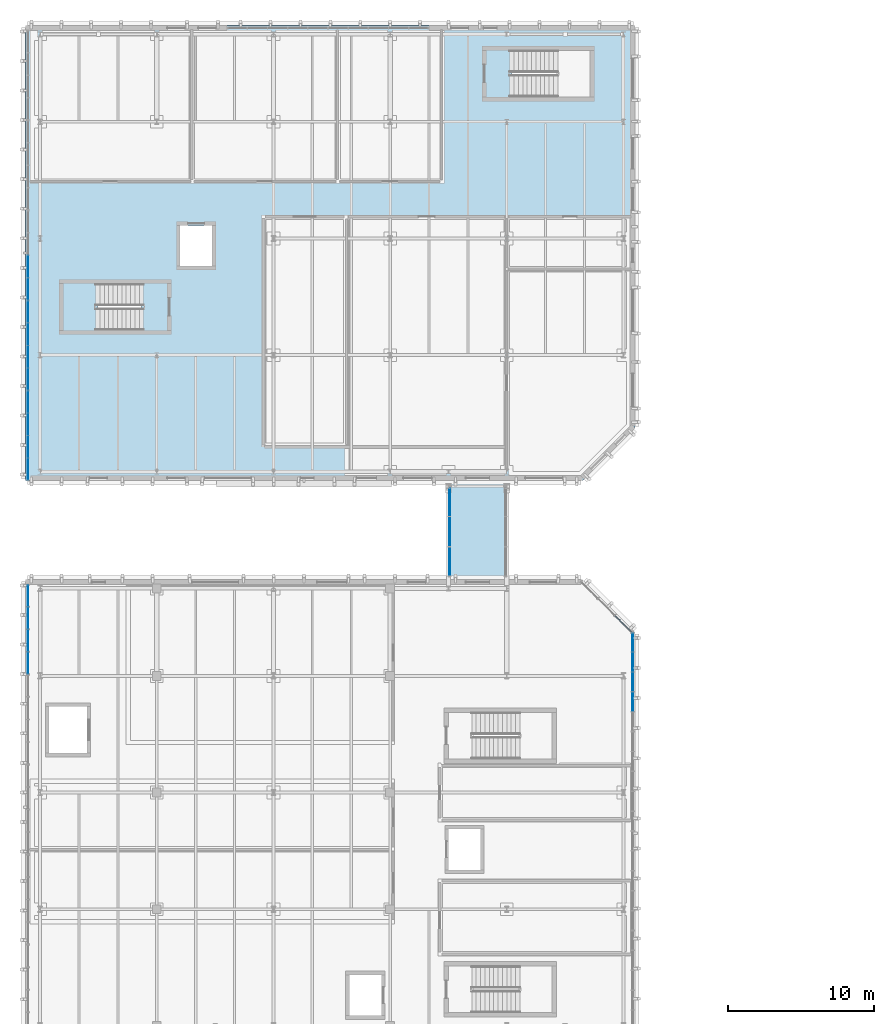
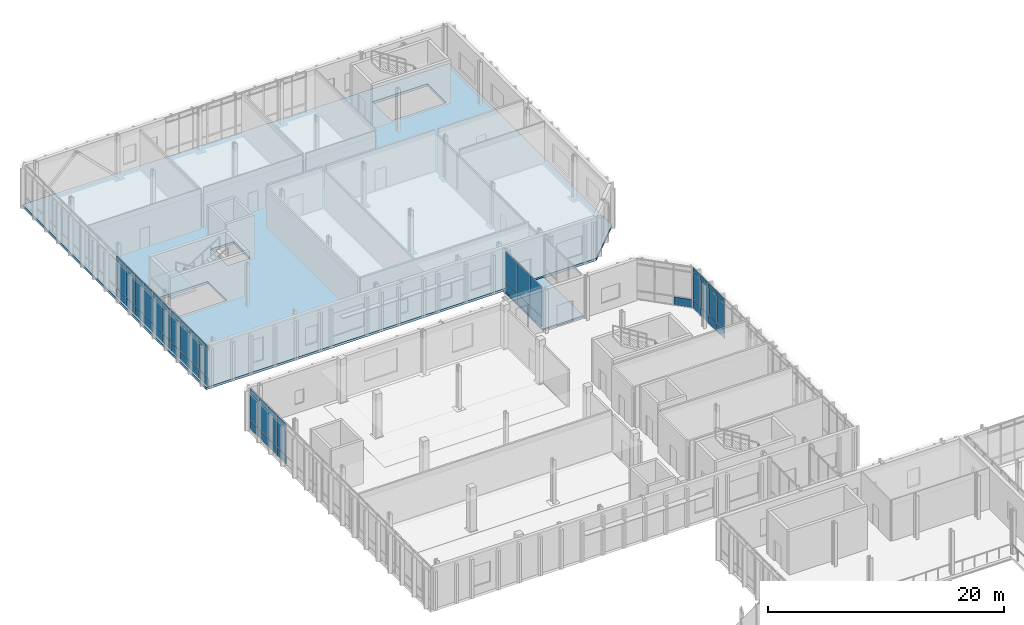
# One storey, part 57 of 100: 61 plates, 3 slabs, 8 elements without a shape of their own.
"""IFC4 building model written with IfcOpenShell, lengths in metres."""

from ifc_helpers import new_model, si_unit, direction, frame, origin, origin_2d, place, context, subcontext, project, spatial, polyline, rectangle, outline, extrude, material, layer, layer_set, type_object, element, aggregate, save


model = new_model("IFC4")

# Units and contexts
model_context = context("Model", 3, precision=1e-05, world=origin(), true_north=direction((0.0, 1.0)))
body_context = subcontext(model_context, "Body", "Model", "MODEL_VIEW")
ifc_project = project(units=[si_unit("LENGTHUNIT", "METRE"), si_unit("AREAUNIT", "SQUARE_METRE"), si_unit("VOLUMEUNIT", "CUBIC_METRE"), si_unit("PLANEANGLEUNIT", "RADIAN"), si_unit("MASSUNIT", "GRAM", prefix="KILO")], contexts=[model_context])

# Site, building, storey
site_placement = place(None, origin())
site = spatial("IfcSite", under=ifc_project, at=site_placement, CompositionType="ELEMENT")
building_placement = place(site_placement, origin())
building = spatial("IfcBuilding", under=site, at=building_placement, Name="Cymarion Research Institute", CompositionType="ELEMENT")
storey_placement = place(building_placement, frame((0.0, 0.0, 9.300048828125)))
storey = spatial("IfcBuildingStorey", under=building, at=storey_placement, Name="L02", CompositionType="ELEMENT", Elevation=9.300048828125)

# Slabs
ifc_material_1 = material(Name="Concrete C35/45", Category="concrete")
ifc_layer_1 = layer(ifc_material_1, 0.159912109375)
ifc_layer_set_1 = layer_set([ifc_layer_1], Name="Concrete C35/45")
slab_type_1 = type_object("IfcSlabType", Name="COMPOSITE FLOOR SLAB SL-BR160 160MM", PredefinedType="FLOOR", material=ifc_layer_set_1)
slab_1_placement = place(storey_placement, frame((0.0, 0.0, -0.16015625)))
element("IfcSlab", 1, at=slab_1_placement, inside=storey, type_object=slab_type_1, Name="L02 SP2 sky-passage composite deck", PredefinedType="FLOOR", context=body_context, shape_type="SweptSolid", body=[
    extrude(outline(polyline([(34.60009765625, 78.10009765625), (38.60009765625, 78.10009765625), (38.60009765625, 84.699951171875), (34.60009765625, 84.699951171875), (34.60009765625, 78.10009765625)])), origin(), (0.0, 0.0, 1.0), 0.16015625),
])
ifc_layer_2 = layer(ifc_material_1, 0.25)
ifc_layer_set_2 = layer_set([ifc_layer_2], Name="Concrete C35/45")
slab_type_2 = type_object("IfcSlabType", Name="COMPOSITE FLOOR SLAB SL-FL250 250MM", PredefinedType="FLOOR", material=ifc_layer_set_2)
slab_2_placement = place(storey_placement, frame((0.0, 0.0, -0.25)))
element("IfcSlab", 2, at=slab_2_placement, inside=storey, type_object=slab_type_2, Name="L02 V5 floor slab", PredefinedType="FLOOR", context=body_context, shape_type="SweptSolid", body=[
    extrude(outline(polyline([(5.60009765625, 84.89990234375), (43.800048828125, 84.89990234375), (47.39990234375, 88.5), (47.39990234375, 116.10009765625), (5.60009765625, 116.10009765625), (5.60009765625, 84.89990234375)]), holes=[polyline([(13.56005859375, 98.39990234375), (8.199951171875, 98.39990234375), (8.199951171875, 95.199951171875), (13.56005859375, 95.199951171875), (13.56005859375, 98.39990234375)]), polyline([(16.199951171875, 99.60009765625), (18.39990234375, 99.60009765625), (18.39990234375, 102.39990234375), (16.199951171875, 102.39990234375), (16.199951171875, 99.60009765625)]), polyline([(38.93994140625, 111.199951171875), (44.300048828125, 111.199951171875), (44.300048828125, 114.39990234375), (38.93994140625, 114.39990234375), (38.93994140625, 111.199951171875)])]), origin(), (0.0, 0.0, 1.0), 0.25),
])

# Curtain wall, plates
ifc_material_2 = material(Name="Anodised aluminium unitised curtain wall with Low-E glazing", Category="aluminium")
curtain_wall_type_1 = type_object("IfcCurtainWallType", Name="UNITISED CURTAIN WALL CW20 6820X4250", PredefinedType="NOTDEFINED", material=ifc_material_2)
curtain_wall_1_placement = place(storey_placement, origin())
curtain_wall_1 = element("IfcCurtainWall", 3, at=curtain_wall_1_placement, inside=storey, type_object=curtain_wall_type_1, Name="L02 V4 unitised curtain wall CW20 #101", PredefinedType="NOTDEFINED")
ifc_material_3 = material(Name="Insulated anodised aluminium spandrel panel", Category="aluminium")
ifc_layer_3 = layer(ifc_material_3, 0.06005859375)
ifc_layer_set_3 = layer_set([ifc_layer_3], Name="Insulated anodised aluminium spandrel panel")
plate_type_1 = type_object("IfcPlateType", Name="INSULATED ALUMINIUM SPANDREL PANEL SP01 60MM", PredefinedType="SHEET", material=ifc_layer_set_3)
plate_1_placement = place(storey_placement, frame((47.22998046875, 69.726318359375, 0.059814453125), z_axis=(0.0, 0.0, 1.0), x_axis=(0.0, 1.0, 0.0)))
plate_1 = element("IfcPlate", 4, at=plate_1_placement, type_object=plate_type_1, Name="CW20 panel 2.1", PredefinedType="SHEET", context=body_context, shape_type="SweptSolid", body=[
    extrude(rectangle(XDim=1.303955078125, YDim=0.06005859375, at=origin_2d()), origin(), (0.0, 0.0, 1.0), 0.81005859375),
])
plate_2_placement = place(storey_placement, frame((47.22998046875, 69.726318359375, 3.72998046875), z_axis=(0.0, 0.0, 1.0), x_axis=(0.0, 1.0, 0.0)))
plate_2 = element("IfcPlate", 5, at=plate_2_placement, type_object=plate_type_1, Name="CW20 panel 2.3", PredefinedType="SHEET", context=body_context, shape_type="SweptSolid", body=[
    extrude(rectangle(XDim=1.303955078125, YDim=0.06005859375, at=origin_2d()), origin(), (0.0, 0.0, 1.0), 0.4599609375),
])
plate_3_placement = place(storey_placement, frame((47.22998046875, 71.09033203125, 0.059814453125), z_axis=(0.0, 0.0, 1.0), x_axis=(0.0, 1.0, 0.0)))
plate_3 = element("IfcPlate", 6, at=plate_3_placement, type_object=plate_type_1, Name="CW20 panel 3.1", PredefinedType="SHEET", context=body_context, shape_type="SweptSolid", body=[
    extrude(rectangle(XDim=1.303955078125, YDim=0.06005859375, at=origin_2d()), origin(), (0.0, 0.0, 1.0), 0.81005859375),
])
plate_4_placement = place(storey_placement, frame((47.22998046875, 71.09033203125, 3.72998046875), z_axis=(0.0, 0.0, 1.0), x_axis=(0.0, 1.0, 0.0)))
plate_4 = element("IfcPlate", 7, at=plate_4_placement, type_object=plate_type_1, Name="CW20 panel 3.3", PredefinedType="SHEET", context=body_context, shape_type="SweptSolid", body=[
    extrude(rectangle(XDim=1.303955078125, YDim=0.06005859375, at=origin_2d()), origin(), (0.0, 0.0, 1.0), 0.4599609375),
])
plate_5_placement = place(storey_placement, frame((47.22998046875, 72.4541015625, 0.059814453125), z_axis=(0.0, 0.0, 1.0), x_axis=(0.0, 1.0, 0.0)))
plate_5 = element("IfcPlate", 8, at=plate_5_placement, type_object=plate_type_1, Name="CW20 panel 4.1", PredefinedType="SHEET", context=body_context, shape_type="SweptSolid", body=[
    extrude(rectangle(XDim=1.303955078125, YDim=0.06005859375, at=origin_2d()), origin(), (0.0, 0.0, 1.0), 0.81005859375),
])
plate_6_placement = place(storey_placement, frame((47.22998046875, 72.4541015625, 3.72998046875), z_axis=(0.0, 0.0, 1.0), x_axis=(0.0, 1.0, 0.0)))
plate_6 = element("IfcPlate", 9, at=plate_6_placement, type_object=plate_type_1, Name="CW20 panel 4.3", PredefinedType="SHEET", context=body_context, shape_type="SweptSolid", body=[
    extrude(rectangle(XDim=1.303955078125, YDim=0.06005859375, at=origin_2d()), origin(), (0.0, 0.0, 1.0), 0.4599609375),
])
plate_7_placement = place(storey_placement, frame((47.22998046875, 73.802978515625, 0.059814453125), z_axis=(0.0, 0.0, 1.0), x_axis=(0.0, 1.0, 0.0)))
plate_7 = element("IfcPlate", 10, at=plate_7_placement, type_object=plate_type_1, Name="CW20 panel 5.1", PredefinedType="SHEET", context=body_context, shape_type="SweptSolid", body=[
    extrude(rectangle(XDim=1.27392578125, YDim=0.06005859375, at=origin_2d()), origin(), (0.0, 0.0, 1.0), 0.81005859375),
])
plate_8_placement = place(storey_placement, frame((47.22998046875, 73.802978515625, 3.72998046875), z_axis=(0.0, 0.0, 1.0), x_axis=(0.0, 1.0, 0.0)))
plate_8 = element("IfcPlate", 11, at=plate_8_placement, type_object=plate_type_1, Name="CW20 panel 5.3", PredefinedType="SHEET", context=body_context, shape_type="SweptSolid", body=[
    extrude(rectangle(XDim=1.27392578125, YDim=0.06005859375, at=origin_2d()), origin(), (0.0, 0.0, 1.0), 0.4599609375),
])

# Curtain wall, plate
curtain_wall_type_2 = type_object("IfcCurtainWallType", Name="UNITISED CURTAIN WALL CW21 4970X4250", PredefinedType="NOTDEFINED", material=ifc_material_2)
curtain_wall_2_placement = place(storey_placement, origin())
curtain_wall_2 = element("IfcCurtainWall", 12, at=curtain_wall_2_placement, inside=storey, type_object=curtain_wall_type_2, Name="L02 V4 unitised curtain wall CW21 #102", PredefinedType="NOTDEFINED")
plate_9_placement = place(storey_placement, frame((46.5966796875, 75.062744140625, 0.059814453125), z_axis=(0.0, 0.0, 1.0), x_axis=(-0.707096717405, 0.707116844825, 0.0)))
plate_9 = element("IfcPlate", 13, at=plate_9_placement, type_object=plate_type_1, Name="CW21 panel 1.1", PredefinedType="SHEET", context=body_context, shape_type="SweptSolid", body=[
    extrude(rectangle(XDim=1.566162109375, YDim=0.06005859375, at=origin_2d()), origin(), (0.0, 0.0, 1.0), 0.81005859375),
])
aggregate(curtain_wall_2, [plate_9])

# Curtain wall, plates
curtain_wall_type_3 = type_object("IfcCurtainWallType", Name="UNITISED CURTAIN WALL CW22 6180X4250", PredefinedType="NOTDEFINED", material=ifc_material_2)
curtain_wall_3_placement = place(storey_placement, origin())
curtain_wall_3 = element("IfcCurtainWall", 14, at=curtain_wall_3_placement, inside=storey, type_object=curtain_wall_type_3, Name="L02 V4 unitised curtain wall CW22 #103", PredefinedType="NOTDEFINED")
plate_10_placement = place(storey_placement, frame((5.77001953125, 76.990966796875, 0.059814453125), z_axis=(0.0, 0.0, 1.0), x_axis=(0.0, -1.0, 0.0)))
plate_10 = element("IfcPlate", 15, at=plate_10_placement, type_object=plate_type_1, Name="CW22 panel 1.1", PredefinedType="SHEET", context=body_context, shape_type="SweptSolid", body=[
    extrude(rectangle(XDim=1.453857421875, YDim=0.06005859375, at=origin_2d()), origin(), (0.0, 0.0, 1.0), 0.81005859375),
])
plate_11_placement = place(storey_placement, frame((5.77001953125, 76.990966796875, 3.72998046875), z_axis=(0.0, 0.0, 1.0), x_axis=(0.0, -1.0, 0.0)))
plate_11 = element("IfcPlate", 16, at=plate_11_placement, type_object=plate_type_1, Name="CW22 panel 1.3", PredefinedType="SHEET", context=body_context, shape_type="SweptSolid", body=[
    extrude(rectangle(XDim=1.453857421875, YDim=0.06005859375, at=origin_2d()), origin(), (0.0, 0.0, 1.0), 0.4599609375),
])
plate_12_placement = place(storey_placement, frame((5.77001953125, 75.462158203125, 0.059814453125), z_axis=(0.0, 0.0, 1.0), x_axis=(0.0, -1.0, 0.0)))
plate_12 = element("IfcPlate", 17, at=plate_12_placement, type_object=plate_type_1, Name="CW22 panel 2.1", PredefinedType="SHEET", context=body_context, shape_type="SweptSolid", body=[
    extrude(rectangle(XDim=1.48388671875, YDim=0.06005859375, at=origin_2d()), origin(), (0.0, 0.0, 1.0), 0.81005859375),
])
plate_13_placement = place(storey_placement, frame((5.77001953125, 75.462158203125, 3.72998046875), z_axis=(0.0, 0.0, 1.0), x_axis=(0.0, -1.0, 0.0)))
plate_13 = element("IfcPlate", 18, at=plate_13_placement, type_object=plate_type_1, Name="CW22 panel 2.3", PredefinedType="SHEET", context=body_context, shape_type="SweptSolid", body=[
    extrude(rectangle(XDim=1.48388671875, YDim=0.06005859375, at=origin_2d()), origin(), (0.0, 0.0, 1.0), 0.4599609375),
])
plate_14_placement = place(storey_placement, frame((5.77001953125, 73.918212890625, 0.059814453125), z_axis=(0.0, 0.0, 1.0), x_axis=(0.0, -1.0, 0.0)))
plate_14 = element("IfcPlate", 19, at=plate_14_placement, type_object=plate_type_1, Name="CW22 panel 3.1", PredefinedType="SHEET", context=body_context, shape_type="SweptSolid", body=[
    extrude(rectangle(XDim=1.48388671875, YDim=0.06005859375, at=origin_2d()), origin(), (0.0, 0.0, 1.0), 0.81005859375),
])
plate_15_placement = place(storey_placement, frame((5.77001953125, 73.918212890625, 3.72998046875), z_axis=(0.0, 0.0, 1.0), x_axis=(0.0, -1.0, 0.0)))
plate_15 = element("IfcPlate", 20, at=plate_15_placement, type_object=plate_type_1, Name="CW22 panel 3.3", PredefinedType="SHEET", context=body_context, shape_type="SweptSolid", body=[
    extrude(rectangle(XDim=1.48388671875, YDim=0.06005859375, at=origin_2d()), origin(), (0.0, 0.0, 1.0), 0.4599609375),
])
plate_16_placement = place(storey_placement, frame((5.77001953125, 72.389404296875, 0.059814453125), z_axis=(0.0, 0.0, 1.0), x_axis=(0.0, -1.0, 0.0)))
plate_16 = element("IfcPlate", 21, at=plate_16_placement, type_object=plate_type_1, Name="CW22 panel 4.1", PredefinedType="SHEET", context=body_context, shape_type="SweptSolid", body=[
    extrude(rectangle(XDim=1.453857421875, YDim=0.06005859375, at=origin_2d()), origin(), (0.0, 0.0, 1.0), 0.81005859375),
])
plate_17_placement = place(storey_placement, frame((5.77001953125, 72.389404296875, 3.72998046875), z_axis=(0.0, 0.0, 1.0), x_axis=(0.0, -1.0, 0.0)))
plate_17 = element("IfcPlate", 22, at=plate_17_placement, type_object=plate_type_1, Name="CW22 panel 4.3", PredefinedType="SHEET", context=body_context, shape_type="SweptSolid", body=[
    extrude(rectangle(XDim=1.453857421875, YDim=0.06005859375, at=origin_2d()), origin(), (0.0, 0.0, 1.0), 0.4599609375),
])

curtain_wall_4_placement = place(storey_placement, origin())
curtain_wall_4 = element("IfcCurtainWall", 23, at=curtain_wall_4_placement, inside=storey, type_object=curtain_wall_type_3, Name="L02 V5 unitised curtain wall CW22 #112", PredefinedType="NOTDEFINED")
plate_18_placement = place(storey_placement, frame((5.77001953125, 99.567138671875, 0.059814453125), z_axis=(0.0, 0.0, 1.0), x_axis=(0.0, -1.0, 0.0)))
plate_18 = element("IfcPlate", 24, at=plate_18_placement, type_object=plate_type_1, Name="CW22 panel 3.1", PredefinedType="SHEET", context=body_context, shape_type="SweptSolid", body=[
    extrude(rectangle(XDim=1.48388671875, YDim=0.06005859375, at=origin_2d()), origin(), (0.0, 0.0, 1.0), 0.81005859375),
])
plate_19_placement = place(storey_placement, frame((5.77001953125, 99.567138671875, 3.72998046875), z_axis=(0.0, 0.0, 1.0), x_axis=(0.0, -1.0, 0.0)))
plate_19 = element("IfcPlate", 25, at=plate_19_placement, type_object=plate_type_1, Name="CW22 panel 3.3", PredefinedType="SHEET", context=body_context, shape_type="SweptSolid", body=[
    extrude(rectangle(XDim=1.48388671875, YDim=0.06005859375, at=origin_2d()), origin(), (0.0, 0.0, 1.0), 0.4599609375),
])
plate_20_placement = place(storey_placement, frame((5.77001953125, 98.0380859375, 0.059814453125), z_axis=(0.0, 0.0, 1.0), x_axis=(0.0, -1.0, 0.0)))
plate_20 = element("IfcPlate", 26, at=plate_20_placement, type_object=plate_type_1, Name="CW22 panel 4.1", PredefinedType="SHEET", context=body_context, shape_type="SweptSolid", body=[
    extrude(rectangle(XDim=1.453857421875, YDim=0.06005859375, at=origin_2d()), origin(), (0.0, 0.0, 1.0), 0.81005859375),
])
plate_21_placement = place(storey_placement, frame((5.77001953125, 98.0380859375, 3.72998046875), z_axis=(0.0, 0.0, 1.0), x_axis=(0.0, -1.0, 0.0)))
plate_21 = element("IfcPlate", 27, at=plate_21_placement, type_object=plate_type_1, Name="CW22 panel 4.3", PredefinedType="SHEET", context=body_context, shape_type="SweptSolid", body=[
    extrude(rectangle(XDim=1.453857421875, YDim=0.06005859375, at=origin_2d()), origin(), (0.0, 0.0, 1.0), 0.4599609375),
])

curtain_wall_5_placement = place(storey_placement, origin())
curtain_wall_5 = element("IfcCurtainWall", 28, at=curtain_wall_5_placement, inside=storey, type_object=curtain_wall_type_3, Name="L02 V5 unitised curtain wall CW22 #113", PredefinedType="NOTDEFINED")
plate_22_placement = place(storey_placement, frame((5.77001953125, 96.46435546875, 0.059814453125), z_axis=(0.0, 0.0, 1.0), x_axis=(0.0, -1.0, 0.0)))
plate_22 = element("IfcPlate", 29, at=plate_22_placement, type_object=plate_type_1, Name="CW22 panel 1.1", PredefinedType="SHEET", context=body_context, shape_type="SweptSolid", body=[
    extrude(rectangle(XDim=1.453857421875, YDim=0.06005859375, at=origin_2d()), origin(), (0.0, 0.0, 1.0), 0.81005859375),
])
plate_23_placement = place(storey_placement, frame((5.77001953125, 96.46435546875, 3.72998046875), z_axis=(0.0, 0.0, 1.0), x_axis=(0.0, -1.0, 0.0)))
plate_23 = element("IfcPlate", 30, at=plate_23_placement, type_object=plate_type_1, Name="CW22 panel 1.3", PredefinedType="SHEET", context=body_context, shape_type="SweptSolid", body=[
    extrude(rectangle(XDim=1.453857421875, YDim=0.06005859375, at=origin_2d()), origin(), (0.0, 0.0, 1.0), 0.4599609375),
])
plate_24_placement = place(storey_placement, frame((5.77001953125, 94.935302734375, 0.059814453125), z_axis=(0.0, 0.0, 1.0), x_axis=(0.0, -1.0, 0.0)))
plate_24 = element("IfcPlate", 31, at=plate_24_placement, type_object=plate_type_1, Name="CW22 panel 2.1", PredefinedType="SHEET", context=body_context, shape_type="SweptSolid", body=[
    extrude(rectangle(XDim=1.48388671875, YDim=0.06005859375, at=origin_2d()), origin(), (0.0, 0.0, 1.0), 0.81005859375),
])
plate_25_placement = place(storey_placement, frame((5.77001953125, 94.935302734375, 3.72998046875), z_axis=(0.0, 0.0, 1.0), x_axis=(0.0, -1.0, 0.0)))
plate_25 = element("IfcPlate", 32, at=plate_25_placement, type_object=plate_type_1, Name="CW22 panel 2.3", PredefinedType="SHEET", context=body_context, shape_type="SweptSolid", body=[
    extrude(rectangle(XDim=1.48388671875, YDim=0.06005859375, at=origin_2d()), origin(), (0.0, 0.0, 1.0), 0.4599609375),
])
plate_26_placement = place(storey_placement, frame((5.77001953125, 93.391357421875, 0.059814453125), z_axis=(0.0, 0.0, 1.0), x_axis=(0.0, -1.0, 0.0)))
plate_26 = element("IfcPlate", 33, at=plate_26_placement, type_object=plate_type_1, Name="CW22 panel 3.1", PredefinedType="SHEET", context=body_context, shape_type="SweptSolid", body=[
    extrude(rectangle(XDim=1.48388671875, YDim=0.06005859375, at=origin_2d()), origin(), (0.0, 0.0, 1.0), 0.81005859375),
])
plate_27_placement = place(storey_placement, frame((5.77001953125, 93.391357421875, 3.72998046875), z_axis=(0.0, 0.0, 1.0), x_axis=(0.0, -1.0, 0.0)))
plate_27 = element("IfcPlate", 34, at=plate_27_placement, type_object=plate_type_1, Name="CW22 panel 3.3", PredefinedType="SHEET", context=body_context, shape_type="SweptSolid", body=[
    extrude(rectangle(XDim=1.48388671875, YDim=0.06005859375, at=origin_2d()), origin(), (0.0, 0.0, 1.0), 0.4599609375),
])
plate_28_placement = place(storey_placement, frame((5.77001953125, 91.862548828125, 0.059814453125), z_axis=(0.0, 0.0, 1.0), x_axis=(0.0, -1.0, 0.0)))
plate_28 = element("IfcPlate", 35, at=plate_28_placement, type_object=plate_type_1, Name="CW22 panel 4.1", PredefinedType="SHEET", context=body_context, shape_type="SweptSolid", body=[
    extrude(rectangle(XDim=1.453857421875, YDim=0.06005859375, at=origin_2d()), origin(), (0.0, 0.0, 1.0), 0.81005859375),
])
plate_29_placement = place(storey_placement, frame((5.77001953125, 91.862548828125, 3.72998046875), z_axis=(0.0, 0.0, 1.0), x_axis=(0.0, -1.0, 0.0)))
plate_29 = element("IfcPlate", 36, at=plate_29_placement, type_object=plate_type_1, Name="CW22 panel 4.3", PredefinedType="SHEET", context=body_context, shape_type="SweptSolid", body=[
    extrude(rectangle(XDim=1.453857421875, YDim=0.06005859375, at=origin_2d()), origin(), (0.0, 0.0, 1.0), 0.4599609375),
])

curtain_wall_6_placement = place(storey_placement, origin())
curtain_wall_6 = element("IfcCurtainWall", 37, at=curtain_wall_6_placement, inside=storey, type_object=curtain_wall_type_3, Name="L02 V5 unitised curtain wall CW22 #114", PredefinedType="NOTDEFINED")
plate_30_placement = place(storey_placement, frame((5.77001953125, 90.28857421875, 0.059814453125), z_axis=(0.0, 0.0, 1.0), x_axis=(0.0, -1.0, 0.0)))
plate_30 = element("IfcPlate", 38, at=plate_30_placement, type_object=plate_type_1, Name="CW22 panel 1.1", PredefinedType="SHEET", context=body_context, shape_type="SweptSolid", body=[
    extrude(rectangle(XDim=1.453857421875, YDim=0.06005859375, at=origin_2d()), origin(), (0.0, 0.0, 1.0), 0.81005859375),
])
plate_31_placement = place(storey_placement, frame((5.77001953125, 90.28857421875, 3.72998046875), z_axis=(0.0, 0.0, 1.0), x_axis=(0.0, -1.0, 0.0)))
plate_31 = element("IfcPlate", 39, at=plate_31_placement, type_object=plate_type_1, Name="CW22 panel 1.3", PredefinedType="SHEET", context=body_context, shape_type="SweptSolid", body=[
    extrude(rectangle(XDim=1.453857421875, YDim=0.06005859375, at=origin_2d()), origin(), (0.0, 0.0, 1.0), 0.4599609375),
])
plate_32_placement = place(storey_placement, frame((5.77001953125, 88.759765625, 0.059814453125), z_axis=(0.0, 0.0, 1.0), x_axis=(0.0, -1.0, 0.0)))
plate_32 = element("IfcPlate", 40, at=plate_32_placement, type_object=plate_type_1, Name="CW22 panel 2.1", PredefinedType="SHEET", context=body_context, shape_type="SweptSolid", body=[
    extrude(rectangle(XDim=1.48388671875, YDim=0.06005859375, at=origin_2d()), origin(), (0.0, 0.0, 1.0), 0.81005859375),
])
plate_33_placement = place(storey_placement, frame((5.77001953125, 88.759765625, 3.72998046875), z_axis=(0.0, 0.0, 1.0), x_axis=(0.0, -1.0, 0.0)))
plate_33 = element("IfcPlate", 41, at=plate_33_placement, type_object=plate_type_1, Name="CW22 panel 2.3", PredefinedType="SHEET", context=body_context, shape_type="SweptSolid", body=[
    extrude(rectangle(XDim=1.48388671875, YDim=0.06005859375, at=origin_2d()), origin(), (0.0, 0.0, 1.0), 0.4599609375),
])
plate_34_placement = place(storey_placement, frame((5.77001953125, 87.2158203125, 0.059814453125), z_axis=(0.0, 0.0, 1.0), x_axis=(0.0, -1.0, 0.0)))
plate_34 = element("IfcPlate", 42, at=plate_34_placement, type_object=plate_type_1, Name="CW22 panel 3.1", PredefinedType="SHEET", context=body_context, shape_type="SweptSolid", body=[
    extrude(rectangle(XDim=1.48388671875, YDim=0.06005859375, at=origin_2d()), origin(), (0.0, 0.0, 1.0), 0.81005859375),
])
plate_35_placement = place(storey_placement, frame((5.77001953125, 87.2158203125, 3.72998046875), z_axis=(0.0, 0.0, 1.0), x_axis=(0.0, -1.0, 0.0)))
plate_35 = element("IfcPlate", 43, at=plate_35_placement, type_object=plate_type_1, Name="CW22 panel 3.3", PredefinedType="SHEET", context=body_context, shape_type="SweptSolid", body=[
    extrude(rectangle(XDim=1.48388671875, YDim=0.06005859375, at=origin_2d()), origin(), (0.0, 0.0, 1.0), 0.4599609375),
])
plate_36_placement = place(storey_placement, frame((5.77001953125, 85.68701171875, 0.059814453125), z_axis=(0.0, 0.0, 1.0), x_axis=(0.0, -1.0, 0.0)))
plate_36 = element("IfcPlate", 44, at=plate_36_placement, type_object=plate_type_1, Name="CW22 panel 4.1", PredefinedType="SHEET", context=body_context, shape_type="SweptSolid", body=[
    extrude(rectangle(XDim=1.453857421875, YDim=0.06005859375, at=origin_2d()), origin(), (0.0, 0.0, 1.0), 0.81005859375),
])
plate_37_placement = place(storey_placement, frame((5.77001953125, 85.68701171875, 3.72998046875), z_axis=(0.0, 0.0, 1.0), x_axis=(0.0, -1.0, 0.0)))
plate_37 = element("IfcPlate", 45, at=plate_37_placement, type_object=plate_type_1, Name="CW22 panel 4.3", PredefinedType="SHEET", context=body_context, shape_type="SweptSolid", body=[
    extrude(rectangle(XDim=1.453857421875, YDim=0.06005859375, at=origin_2d()), origin(), (0.0, 0.0, 1.0), 0.4599609375),
])

curtain_wall_type_4 = type_object("IfcCurtainWallType", Name="UNITISED CURTAIN WALL CW25 6200X4260", PredefinedType="NOTDEFINED", material=ifc_material_2)
curtain_wall_7_placement = place(storey_placement, origin())
curtain_wall_7 = element("IfcCurtainWall", 46, at=curtain_wall_7_placement, inside=storey, type_object=curtain_wall_type_4, Name="L02 SP2 sky-passage glazed wall 1", PredefinedType="NOTDEFINED")
plate_38_placement = place(storey_placement, frame((34.679931640625, 79.348388671875, 0.06005859375), z_axis=(0.0, 0.0, 1.0), x_axis=(0.0, 1.0, 0.0)))
plate_38 = element("IfcPlate", 47, at=plate_38_placement, type_object=plate_type_1, Name="CW25 panel 1.1", PredefinedType="SHEET", context=body_context, shape_type="SweptSolid", body=[
    extrude(rectangle(XDim=1.9765625, YDim=0.06005859375, at=origin_2d()), origin(), (0.0, 0.0, 1.0), 0.9599609375),
])
plate_39_placement = place(storey_placement, frame((34.679931640625, 81.39990234375, 0.06005859375), z_axis=(0.0, 0.0, 1.0), x_axis=(0.0, 1.0, 0.0)))
plate_39 = element("IfcPlate", 48, at=plate_39_placement, type_object=plate_type_1, Name="CW25 panel 2.1", PredefinedType="SHEET", context=body_context, shape_type="SweptSolid", body=[
    extrude(rectangle(XDim=2.006591796875, YDim=0.06005859375, at=origin_2d()), origin(), (0.0, 0.0, 1.0), 0.9599609375),
])
plate_40_placement = place(storey_placement, frame((34.679931640625, 83.45166015625, 0.06005859375), z_axis=(0.0, 0.0, 1.0), x_axis=(0.0, 1.0, 0.0)))
plate_40 = element("IfcPlate", 49, at=plate_40_placement, type_object=plate_type_1, Name="CW25 panel 3.1", PredefinedType="SHEET", context=body_context, shape_type="SweptSolid", body=[
    extrude(rectangle(XDim=1.9765625, YDim=0.06005859375, at=origin_2d()), origin(), (0.0, 0.0, 1.0), 0.9599609375),
])

# Stair, slab
stair_type = type_object("IfcStairType", Name="REINFORCED CONCRETE DOGLEG STAIR STR-4500", PredefinedType="HALF_TURN_STAIR", material=ifc_material_1)
stair_placement = place(storey_placement, origin())
stair = element("IfcStair", 50, at=stair_placement, inside=storey, type_object=stair_type, Name="L02 Core C9 Smoke-Proof Exit Stair ST9", PredefinedType="HALF_TURN_STAIR")
ifc_layer_4 = layer(ifc_material_1, 0.199951171875)
ifc_layer_set_4 = layer_set([ifc_layer_4], Name="Concrete C35/45")
slab_type_3 = type_object("IfcSlabType", Name="REINFORCED CONCRETE STAIR LANDING LDG200", PredefinedType="LANDING", material=ifc_layer_set_4)
slab_3_placement = place(storey_placement, frame((0.0, 0.0, 2.050048828125)))
slab_3 = element("IfcSlab", 51, at=slab_3_placement, type_object=slab_type_3, Name="ST9 landing 1", PredefinedType="LANDING", context=body_context, shape_type="SweptSolid", body=[
    extrude(outline(polyline([(10.52001953125, 98.52001953125), (10.52001953125, 95.080078125), (8.080078125, 95.080078125), (8.080078125, 98.52001953125), (10.52001953125, 98.52001953125)])), origin(), (0.0, 0.0, 1.0), 0.199951171875),
])
aggregate(stair, [slab_3])

# Plate
ifc_material_4 = material(Name="Low-E double solar-control glazing", Category="glass")
ifc_layer_5 = layer(ifc_material_4, 0.035888671875)
ifc_layer_set_5 = layer_set([ifc_layer_5], Name="Low-E double solar-control glazing")
plate_type_2 = type_object("IfcPlateType", Name="SOLAR CONTROL GLAZED VISION PANEL GP01 36MM", PredefinedType="CURTAIN_PANEL", material=ifc_layer_set_5)
plate_41_placement = place(storey_placement, frame((47.22998046875, 69.726318359375, 0.93017578125), z_axis=(0.0, 0.0, 1.0), x_axis=(0.0, 1.0, 0.0)))
plate_41 = element("IfcPlate", 52, at=plate_41_placement, type_object=plate_type_2, Name="CW20 panel 2.2", PredefinedType="CURTAIN_PANEL", context=body_context, shape_type="SweptSolid", body=[
    extrude(rectangle(XDim=1.303955078125, YDim=0.035888671875, at=origin_2d()), origin(), (0.0, 0.0, 1.0), 2.739990234375),
])

plate_42_placement = place(storey_placement, frame((47.22998046875, 71.09033203125, 0.93017578125), z_axis=(0.0, 0.0, 1.0), x_axis=(0.0, 1.0, 0.0)))
plate_42 = element("IfcPlate", 53, at=plate_42_placement, type_object=plate_type_2, Name="CW20 panel 3.2", PredefinedType="CURTAIN_PANEL", context=body_context, shape_type="SweptSolid", body=[
    extrude(rectangle(XDim=1.303955078125, YDim=0.035888671875, at=origin_2d()), origin(), (0.0, 0.0, 1.0), 2.739990234375),
])

plate_43_placement = place(storey_placement, frame((47.22998046875, 72.4541015625, 0.93017578125), z_axis=(0.0, 0.0, 1.0), x_axis=(0.0, 1.0, 0.0)))
plate_43 = element("IfcPlate", 54, at=plate_43_placement, type_object=plate_type_2, Name="CW20 panel 4.2", PredefinedType="CURTAIN_PANEL", context=body_context, shape_type="SweptSolid", body=[
    extrude(rectangle(XDim=1.303955078125, YDim=0.035888671875, at=origin_2d()), origin(), (0.0, 0.0, 1.0), 2.739990234375),
])

plate_44_placement = place(storey_placement, frame((47.22998046875, 73.802978515625, 0.93017578125), z_axis=(0.0, 0.0, 1.0), x_axis=(0.0, 1.0, 0.0)))
plate_44 = element("IfcPlate", 55, at=plate_44_placement, type_object=plate_type_2, Name="CW20 panel 5.2", PredefinedType="CURTAIN_PANEL", context=body_context, shape_type="SweptSolid", body=[
    extrude(rectangle(XDim=1.27392578125, YDim=0.035888671875, at=origin_2d()), origin(), (0.0, 0.0, 1.0), 2.739990234375),
])

aggregate(curtain_wall_1, [plate_1, plate_41, plate_2, plate_3, plate_42, plate_4, plate_5, plate_43, plate_6, plate_7, plate_44, plate_8])

plate_45_placement = place(storey_placement, frame((5.77001953125, 76.990966796875, 0.93017578125), z_axis=(0.0, 0.0, 1.0), x_axis=(0.0, -1.0, 0.0)))
plate_45 = element("IfcPlate", 56, at=plate_45_placement, type_object=plate_type_2, Name="CW22 panel 1.2", PredefinedType="CURTAIN_PANEL", context=body_context, shape_type="SweptSolid", body=[
    extrude(rectangle(XDim=1.453857421875, YDim=0.035888671875, at=origin_2d()), origin(), (0.0, 0.0, 1.0), 2.739990234375),
])

plate_46_placement = place(storey_placement, frame((5.77001953125, 75.462158203125, 0.93017578125), z_axis=(0.0, 0.0, 1.0), x_axis=(0.0, -1.0, 0.0)))
plate_46 = element("IfcPlate", 57, at=plate_46_placement, type_object=plate_type_2, Name="CW22 panel 2.2", PredefinedType="CURTAIN_PANEL", context=body_context, shape_type="SweptSolid", body=[
    extrude(rectangle(XDim=1.48388671875, YDim=0.035888671875, at=origin_2d()), origin(), (0.0, 0.0, 1.0), 2.739990234375),
])

plate_47_placement = place(storey_placement, frame((5.77001953125, 73.918212890625, 0.93017578125), z_axis=(0.0, 0.0, 1.0), x_axis=(0.0, -1.0, 0.0)))
plate_47 = element("IfcPlate", 58, at=plate_47_placement, type_object=plate_type_2, Name="CW22 panel 3.2", PredefinedType="CURTAIN_PANEL", context=body_context, shape_type="SweptSolid", body=[
    extrude(rectangle(XDim=1.48388671875, YDim=0.035888671875, at=origin_2d()), origin(), (0.0, 0.0, 1.0), 2.739990234375),
])

plate_48_placement = place(storey_placement, frame((5.77001953125, 72.389404296875, 0.93017578125), z_axis=(0.0, 0.0, 1.0), x_axis=(0.0, -1.0, 0.0)))
plate_48 = element("IfcPlate", 59, at=plate_48_placement, type_object=plate_type_2, Name="CW22 panel 4.2", PredefinedType="CURTAIN_PANEL", context=body_context, shape_type="SweptSolid", body=[
    extrude(rectangle(XDim=1.453857421875, YDim=0.035888671875, at=origin_2d()), origin(), (0.0, 0.0, 1.0), 2.739990234375),
])

aggregate(curtain_wall_3, [plate_10, plate_45, plate_11, plate_12, plate_46, plate_13, plate_14, plate_47, plate_15, plate_16, plate_48, plate_17])

plate_49_placement = place(storey_placement, frame((5.77001953125, 99.567138671875, 0.93017578125), z_axis=(0.0, 0.0, 1.0), x_axis=(0.0, -1.0, 0.0)))
plate_49 = element("IfcPlate", 60, at=plate_49_placement, type_object=plate_type_2, Name="CW22 panel 3.2", PredefinedType="CURTAIN_PANEL", context=body_context, shape_type="SweptSolid", body=[
    extrude(rectangle(XDim=1.48388671875, YDim=0.035888671875, at=origin_2d()), origin(), (0.0, 0.0, 1.0), 2.739990234375),
])

plate_50_placement = place(storey_placement, frame((5.77001953125, 98.0380859375, 0.93017578125), z_axis=(0.0, 0.0, 1.0), x_axis=(0.0, -1.0, 0.0)))
plate_50 = element("IfcPlate", 61, at=plate_50_placement, type_object=plate_type_2, Name="CW22 panel 4.2", PredefinedType="CURTAIN_PANEL", context=body_context, shape_type="SweptSolid", body=[
    extrude(rectangle(XDim=1.453857421875, YDim=0.035888671875, at=origin_2d()), origin(), (0.0, 0.0, 1.0), 2.739990234375),
])

aggregate(curtain_wall_4, [plate_18, plate_49, plate_19, plate_20, plate_50, plate_21])

plate_51_placement = place(storey_placement, frame((5.77001953125, 96.46435546875, 0.93017578125), z_axis=(0.0, 0.0, 1.0), x_axis=(0.0, -1.0, 0.0)))
plate_51 = element("IfcPlate", 62, at=plate_51_placement, type_object=plate_type_2, Name="CW22 panel 1.2", PredefinedType="CURTAIN_PANEL", context=body_context, shape_type="SweptSolid", body=[
    extrude(rectangle(XDim=1.453857421875, YDim=0.035888671875, at=origin_2d()), origin(), (0.0, 0.0, 1.0), 2.739990234375),
])

plate_52_placement = place(storey_placement, frame((5.77001953125, 94.935302734375, 0.93017578125), z_axis=(0.0, 0.0, 1.0), x_axis=(0.0, -1.0, 0.0)))
plate_52 = element("IfcPlate", 63, at=plate_52_placement, type_object=plate_type_2, Name="CW22 panel 2.2", PredefinedType="CURTAIN_PANEL", context=body_context, shape_type="SweptSolid", body=[
    extrude(rectangle(XDim=1.48388671875, YDim=0.035888671875, at=origin_2d()), origin(), (0.0, 0.0, 1.0), 2.739990234375),
])

plate_53_placement = place(storey_placement, frame((5.77001953125, 93.391357421875, 0.93017578125), z_axis=(0.0, 0.0, 1.0), x_axis=(0.0, -1.0, 0.0)))
plate_53 = element("IfcPlate", 64, at=plate_53_placement, type_object=plate_type_2, Name="CW22 panel 3.2", PredefinedType="CURTAIN_PANEL", context=body_context, shape_type="SweptSolid", body=[
    extrude(rectangle(XDim=1.48388671875, YDim=0.035888671875, at=origin_2d()), origin(), (0.0, 0.0, 1.0), 2.739990234375),
])

plate_54_placement = place(storey_placement, frame((5.77001953125, 91.862548828125, 0.93017578125), z_axis=(0.0, 0.0, 1.0), x_axis=(0.0, -1.0, 0.0)))
plate_54 = element("IfcPlate", 65, at=plate_54_placement, type_object=plate_type_2, Name="CW22 panel 4.2", PredefinedType="CURTAIN_PANEL", context=body_context, shape_type="SweptSolid", body=[
    extrude(rectangle(XDim=1.453857421875, YDim=0.035888671875, at=origin_2d()), origin(), (0.0, 0.0, 1.0), 2.739990234375),
])

aggregate(curtain_wall_5, [plate_22, plate_51, plate_23, plate_24, plate_52, plate_25, plate_26, plate_53, plate_27, plate_28, plate_54, plate_29])

plate_55_placement = place(storey_placement, frame((5.77001953125, 90.28857421875, 0.93017578125), z_axis=(0.0, 0.0, 1.0), x_axis=(0.0, -1.0, 0.0)))
plate_55 = element("IfcPlate", 66, at=plate_55_placement, type_object=plate_type_2, Name="CW22 panel 1.2", PredefinedType="CURTAIN_PANEL", context=body_context, shape_type="SweptSolid", body=[
    extrude(rectangle(XDim=1.453857421875, YDim=0.035888671875, at=origin_2d()), origin(), (0.0, 0.0, 1.0), 2.739990234375),
])

plate_56_placement = place(storey_placement, frame((5.77001953125, 88.759765625, 0.93017578125), z_axis=(0.0, 0.0, 1.0), x_axis=(0.0, -1.0, 0.0)))
plate_56 = element("IfcPlate", 67, at=plate_56_placement, type_object=plate_type_2, Name="CW22 panel 2.2", PredefinedType="CURTAIN_PANEL", context=body_context, shape_type="SweptSolid", body=[
    extrude(rectangle(XDim=1.48388671875, YDim=0.035888671875, at=origin_2d()), origin(), (0.0, 0.0, 1.0), 2.739990234375),
])

plate_57_placement = place(storey_placement, frame((5.77001953125, 87.2158203125, 0.93017578125), z_axis=(0.0, 0.0, 1.0), x_axis=(0.0, -1.0, 0.0)))
plate_57 = element("IfcPlate", 68, at=plate_57_placement, type_object=plate_type_2, Name="CW22 panel 3.2", PredefinedType="CURTAIN_PANEL", context=body_context, shape_type="SweptSolid", body=[
    extrude(rectangle(XDim=1.48388671875, YDim=0.035888671875, at=origin_2d()), origin(), (0.0, 0.0, 1.0), 2.739990234375),
])

plate_58_placement = place(storey_placement, frame((5.77001953125, 85.68701171875, 0.93017578125), z_axis=(0.0, 0.0, 1.0), x_axis=(0.0, -1.0, 0.0)))
plate_58 = element("IfcPlate", 69, at=plate_58_placement, type_object=plate_type_2, Name="CW22 panel 4.2", PredefinedType="CURTAIN_PANEL", context=body_context, shape_type="SweptSolid", body=[
    extrude(rectangle(XDim=1.453857421875, YDim=0.035888671875, at=origin_2d()), origin(), (0.0, 0.0, 1.0), 2.739990234375),
])

aggregate(curtain_wall_6, [plate_30, plate_55, plate_31, plate_32, plate_56, plate_33, plate_34, plate_57, plate_35, plate_36, plate_58, plate_37])

plate_59_placement = place(storey_placement, frame((34.679931640625, 79.348388671875, 1.079833984375), z_axis=(0.0, 0.0, 1.0), x_axis=(0.0, 1.0, 0.0)))
plate_59 = element("IfcPlate", 70, at=plate_59_placement, type_object=plate_type_2, Name="CW25 panel 1.2", PredefinedType="CURTAIN_PANEL", context=body_context, shape_type="SweptSolid", body=[
    extrude(rectangle(XDim=1.9765625, YDim=0.035888671875, at=origin_2d()), origin(), (0.0, 0.0, 1.0), 3.1201171875),
])

plate_60_placement = place(storey_placement, frame((34.679931640625, 81.39990234375, 1.079833984375), z_axis=(0.0, 0.0, 1.0), x_axis=(0.0, 1.0, 0.0)))
plate_60 = element("IfcPlate", 71, at=plate_60_placement, type_object=plate_type_2, Name="CW25 panel 2.2", PredefinedType="CURTAIN_PANEL", context=body_context, shape_type="SweptSolid", body=[
    extrude(rectangle(XDim=2.006591796875, YDim=0.035888671875, at=origin_2d()), origin(), (0.0, 0.0, 1.0), 3.1201171875),
])

plate_61_placement = place(storey_placement, frame((34.679931640625, 83.45166015625, 1.079833984375), z_axis=(0.0, 0.0, 1.0), x_axis=(0.0, 1.0, 0.0)))
plate_61 = element("IfcPlate", 72, at=plate_61_placement, type_object=plate_type_2, Name="CW25 panel 3.2", PredefinedType="CURTAIN_PANEL", context=body_context, shape_type="SweptSolid", body=[
    extrude(rectangle(XDim=1.9765625, YDim=0.035888671875, at=origin_2d()), origin(), (0.0, 0.0, 1.0), 3.1201171875),
])

aggregate(curtain_wall_7, [plate_38, plate_59, plate_39, plate_60, plate_40, plate_61])

save(model, "model.ifc")
